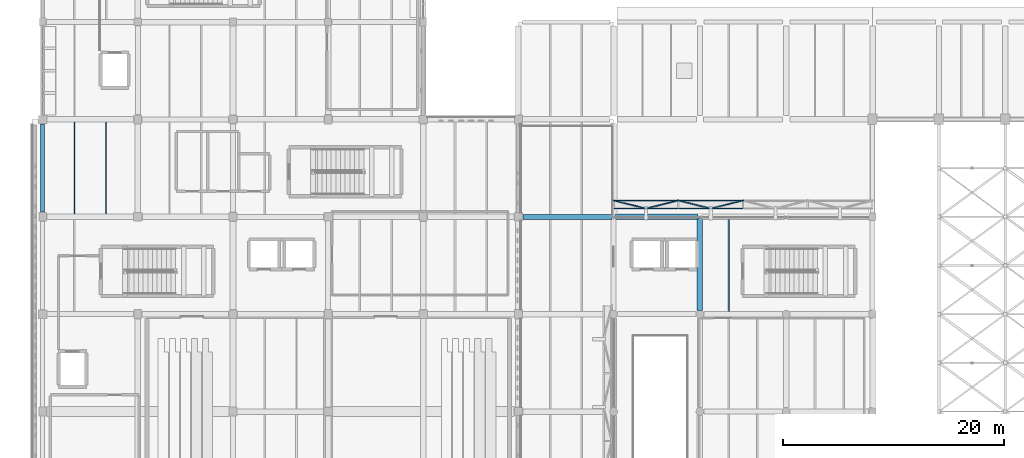
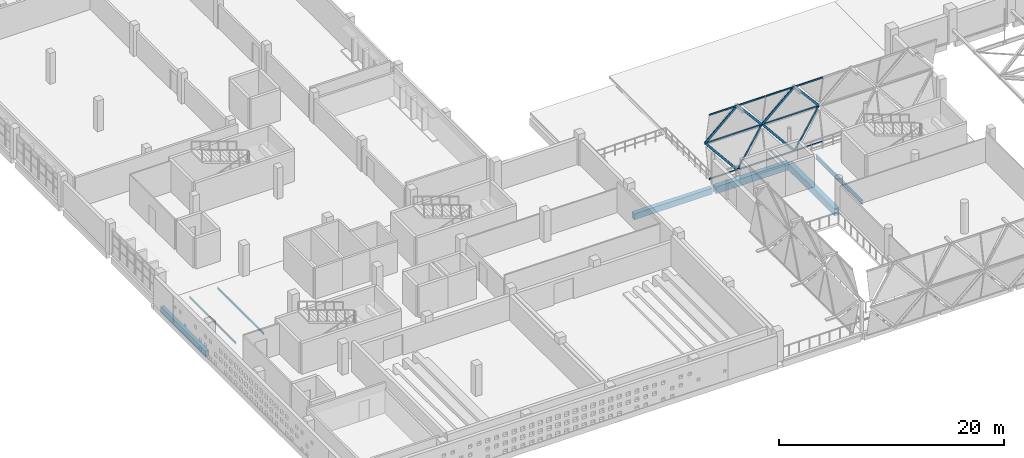
# One storey, part 9 of 93: 14 members, 7 beams, 2 elements without a shape of their own.
"""IFC4 building model written with IfcOpenShell, lengths in metres."""

from ifc_helpers import new_model, si_unit, direction, frame, origin, origin_2d, place, context, subcontext, project, spatial, rectangle, hollow_rectangle, i_section, extrude, material, material_profile, profile_set, type_object, element, aggregate, save


model = new_model("IFC4")

# Units and contexts
model_context = context("Model", 3, precision=1e-05, world=origin(), true_north=direction((0.0, 1.0)))
body_context = subcontext(model_context, "Body", "Model", "MODEL_VIEW")
ifc_project = project(units=[si_unit("LENGTHUNIT", "METRE"), si_unit("AREAUNIT", "SQUARE_METRE"), si_unit("VOLUMEUNIT", "CUBIC_METRE"), si_unit("PLANEANGLEUNIT", "RADIAN"), si_unit("MASSUNIT", "GRAM", prefix="KILO")], contexts=[model_context])

# Site, building, storey
site_placement = place(None, origin())
site = spatial("IfcSite", under=ifc_project, at=site_placement, CompositionType="ELEMENT")
building_placement = place(site_placement, origin())
building = spatial("IfcBuilding", under=site, at=building_placement, Name="Varnakota Cinema and Media Centre", CompositionType="ELEMENT")
storey_placement = place(building_placement, frame((0.0, 0.0, 12.0)))
storey = spatial("IfcBuildingStorey", under=building, at=storey_placement, Name="L03", CompositionType="ELEMENT", Elevation=12.0)

# Beams
ifc_material_1 = material(Name="Concrete M35", Category="concrete")
ifc_material_profile_1 = material_profile(ifc_material_1, rectangle(XDim=0.449951171875, YDim=0.64990234375, at=origin_2d()), Name="RCB 450x650")
ifc_profile_set_1 = profile_set([ifc_material_profile_1], Name="Concrete M35")
beam_type_1 = type_object("IfcBeamType", Name="BM-RC-450x650", PredefinedType="BEAM", material=ifc_profile_set_1)
beam_1_placement = place(storey_placement, frame((43.39990234375, 26.39990234375, -0.5849609375), z_axis=(1.0, 0.0, 0.0), x_axis=(0.0, 1.0, 0.0)))
element("IfcBeam", 1, at=beam_1_placement, inside=storey, type_object=beam_type_1, Name="L03 girder F-G/4", PredefinedType="BEAM", context=body_context, shape_type="SweptSolid", body=[
    extrude(rectangle(XDim=0.449951171875, YDim=0.64990234375, at=origin_2d()), origin(), (0.0, 0.0, 1.0), 8.0380859375),
])
ifc_material_2 = material(Name="Concrete M35", Category="concrete")
ifc_material_profile_2 = material_profile(ifc_material_2, rectangle(XDim=0.5, YDim=0.75, at=origin_2d()), Name="RCB 500x750")
ifc_profile_set_2 = profile_set([ifc_material_profile_2], Name="Concrete M35")
beam_type_2 = type_object("IfcBeamType", Name="BM-RC-500x750", PredefinedType="BEAM", material=ifc_profile_set_2)
beam_2_placement = place(storey_placement, frame((51.761962890625, 26.39990234375, -0.635009765625), z_axis=(1.0, 0.0, 0.0), x_axis=(0.0, 1.0, 0.0)))
element("IfcBeam", 2, at=beam_2_placement, inside=storey, type_object=beam_type_2, Name="L03 girder G-H/4", PredefinedType="BEAM", context=body_context, shape_type="SweptSolid", body=[
    extrude(rectangle(XDim=0.5, YDim=0.75, at=origin_2d()), origin(), (0.0, 0.0, 1.0), 7.47607421875),
])
beam_3_placement = place(storey_placement, frame((59.39990234375, 17.949951171875, -0.635009765625), z_axis=(0.0, 1.0, 0.0), x_axis=(-1.0, 0.0, 0.0)))
element("IfcBeam", 3, at=beam_3_placement, inside=storey, type_object=beam_type_2, Name="L03 girder H/3-4", PredefinedType="BEAM", context=body_context, shape_type="SweptSolid", body=[
    extrude(rectangle(XDim=0.5, YDim=0.75, at=origin_2d()), origin(), (0.0, 0.0, 1.0), 8.2880859375),
])
ifc_material_3 = material(Name="Concrete M40", Category="concrete")
ifc_material_profile_3 = material_profile(ifc_material_3, rectangle(XDim=0.35009765625, YDim=0.64990234375, at=origin_2d()), Name="RCB 350x650")
ifc_profile_set_3 = profile_set([ifc_material_profile_3], Name="Concrete M40")
beam_type_3 = type_object("IfcBeamType", Name="BM-SP-350x650", PredefinedType="SPANDREL", material=ifc_profile_set_3)
beam_4_placement = place(storey_placement, frame((0.0, 26.824951171875, -0.5849609375), z_axis=(0.0, 1.0, 0.0), x_axis=(-1.0, 0.0, 0.0)))
element("IfcBeam", 4, at=beam_4_placement, inside=storey, type_object=beam_type_3, Name="L03 girder A/4-5", PredefinedType="SPANDREL", context=body_context, shape_type="SweptSolid", body=[
    extrude(rectangle(XDim=0.35009765625, YDim=0.64990234375, at=origin_2d()), origin(), (0.0, 0.0, 1.0), 7.97509765625),
])
ifc_material_4 = material(Name="Structural steel Grade 350 (E350)", Category="steel")
ifc_material_profile_4 = material_profile(ifc_material_4, i_section(OverallWidth=0.10009765625, OverallDepth=0.199951171875, WebThickness=0.005615234375, FlangeThickness=0.0107421875, FilletRadius=0.010986328125, at=origin_2d()), Name="ISMB 200")
ifc_profile_set_4 = profile_set([ifc_material_profile_4], Name="Structural steel Grade 350 (E350)")
beam_type_4 = type_object("IfcBeamType", Name="BM-ST-ISMB200", PredefinedType="JOIST", material=ifc_profile_set_4)
for number, where, z_axis, x_axis, name in (
    (5, (2.86669921875, 26.64990234375, -0.360107421875), (0.0, 1.0, 0.0), (-1.0, 0.0, 0.0), "L03 steel joist A-B/4-5 #1"),
    (6, (5.7333984375, 26.64990234375, -0.360107421875), (0.0, 1.0, 0.0), (-1.0, 0.0, 0.0), "L03 steel joist A-B/4-5 #2"),
):
    element("IfcBeam", number, at=place(storey_placement, frame(where, z_axis=z_axis, x_axis=x_axis)), inside=storey, type_object=beam_type_4, Name=name, PredefinedType="JOIST", context=body_context, shape_type="SweptSolid", body=[
        extrude(i_section(OverallWidth=0.10009765625, OverallDepth=0.199951171875, WebThickness=0.005615234375, FlangeThickness=0.0107421875, FilletRadius=0.010986328125, at=origin_2d()), origin(), (0.0, 0.0, 1.0), 8.300048828125),
    ])
ifc_material_5 = material(Name="Structural steel Grade 350 (E350)", Category="steel")
ifc_material_profile_5 = material_profile(ifc_material_5, i_section(OverallWidth=0.14990234375, OverallDepth=0.449951171875, WebThickness=0.009521484375, FlangeThickness=0.017333984375, FilletRadius=0.014892578125, at=origin_2d()), Name="ISMB 450")
ifc_profile_set_5 = profile_set([ifc_material_profile_5], Name="Structural steel Grade 350 (E350)")
beam_type_5 = type_object("IfcBeamType", Name="BM-ST-ISMB450", PredefinedType="BEAM", material=ifc_profile_set_5)
beam_5_placement = place(storey_placement, frame((62.0, 17.85009765625, -0.485107421875), z_axis=(0.0, 1.0, 0.0), x_axis=(-1.0, 0.0, 0.0)))
element("IfcBeam", 7, at=beam_5_placement, inside=storey, type_object=beam_type_5, Name="L03 steel joist H-J/3-4 #1", PredefinedType="BEAM", context=body_context, shape_type="SweptSolid", body=[
    extrude(i_section(OverallWidth=0.14990234375, OverallDepth=0.449951171875, WebThickness=0.009521484375, FlangeThickness=0.017333984375, FilletRadius=0.014892578125, at=origin_2d()), origin(), (0.0, 0.0, 1.0), 8.2998046875),
])

# Curtain wall, members
ifc_material_6 = material(Name="Anodised golden-bronze aluminium AW-6063", Category="aluminium")
curtain_wall_type = type_object("IfcCurtainWallType", Name="CW-DMD-585x705", PredefinedType="USERDEFINED", material=ifc_material_6)
curtain_wall_1_placement = place(storey_placement, origin())
curtain_wall_1 = element("IfcCurtainWall", 8, at=curtain_wall_1_placement, inside=storey, type_object=curtain_wall_type, Name="L03 folded diamond foyer curtain wall CW-V6DMD-N-T2-D01", ObjectType="DIAMOND FOLDED CURTAIN WALL", PredefinedType="USERDEFINED")
ifc_material_7 = material(Name="Anodised golden-bronze aluminium AW-6063", Category="aluminium")
ifc_material_profile_6 = material_profile(ifc_material_7, hollow_rectangle(XDim=0.074951171875, YDim=0.219970703125, WallThickness=0.0048828125, InnerFilletRadius=0.0048828125, OuterFilletRadius=0.010009765625, at=origin_2d()), Name="AL-MULLION 220x75x5")
ifc_profile_set_6 = profile_set([ifc_material_profile_6], Name="Anodised golden-bronze aluminium AW-6063")
member_type_1 = type_object("IfcMemberType", Name="CWM-GOLD-220", PredefinedType="MULLION", material=ifc_profile_set_6)
member_1_placement = place(storey_placement, frame((54.52490234375, 27.14990234375, 0.050048828125), z_axis=(-0.630878157288, 0.156851995101, 0.759861962654), x_axis=(-0.241279412338, -0.970455689448, 0.0)))
member_1 = element("IfcMember", 9, at=member_1_placement, type_object=member_type_1, Name="CW-V6DMD-N-T2-D01 folded diamond mullion 1", PredefinedType="MULLION", context=body_context, shape_type="SweptSolid", body=[
    extrude(hollow_rectangle(XDim=0.074951171875, YDim=0.219970703125, WallThickness=0.0048828125, InnerFilletRadius=0.0048828125, OuterFilletRadius=0.010009765625, at=origin_2d()), origin(), (0.0, 0.0, 1.0), 4.572998046875),
])
member_2_placement = place(storey_placement, frame((54.52490234375, 27.14990234375, 0.050048828125), z_axis=(0.630878157288, 0.156851995101, 0.759861962654), x_axis=(-0.241279412338, 0.970455689448, 0.0)))
member_2 = element("IfcMember", 10, at=member_2_placement, type_object=member_type_1, Name="CW-V6DMD-N-T2-D01 folded diamond mullion 2", PredefinedType="MULLION", context=body_context, shape_type="SweptSolid", body=[
    extrude(hollow_rectangle(XDim=0.074951171875, YDim=0.219970703125, WallThickness=0.0048828125, InnerFilletRadius=0.0048828125, OuterFilletRadius=0.010009765625, at=origin_2d()), origin(), (0.0, 0.0, 1.0), 4.572998046875),
])
member_3_placement = place(storey_placement, frame((51.639892578125, 27.8671875, 3.52490234375), z_axis=(0.630852565109, -0.156845632249, 0.759884523293), x_axis=(0.241279412338, 0.970455689448, 0.0)))
member_3 = element("IfcMember", 11, at=member_3_placement, type_object=member_type_1, Name="CW-V6DMD-N-T2-D01 folded diamond mullion 3", PredefinedType="MULLION", context=body_context, shape_type="SweptSolid", body=[
    extrude(hollow_rectangle(XDim=0.074951171875, YDim=0.219970703125, WallThickness=0.0048828125, InnerFilletRadius=0.0048828125, OuterFilletRadius=0.010009765625, at=origin_2d()), origin(), (0.0, 0.0, 1.0), 4.5732421875),
])
member_4_placement = place(storey_placement, frame((57.409912109375, 27.8671875, 3.52490234375), z_axis=(-0.630852565109, -0.156845632249, 0.759884523293), x_axis=(0.241279412338, -0.970455689448, 0.0)))
member_4 = element("IfcMember", 12, at=member_4_placement, type_object=member_type_1, Name="CW-V6DMD-N-T2-D01 folded diamond mullion 4", PredefinedType="MULLION", context=body_context, shape_type="SweptSolid", body=[
    extrude(hollow_rectangle(XDim=0.074951171875, YDim=0.219970703125, WallThickness=0.0048828125, InnerFilletRadius=0.0048828125, OuterFilletRadius=0.010009765625, at=origin_2d()), origin(), (0.0, 0.0, 1.0), 4.5732421875),
])

curtain_wall_2_placement = place(storey_placement, origin())
curtain_wall_2 = element("IfcCurtainWall", 13, at=curtain_wall_2_placement, inside=storey, type_object=curtain_wall_type, Name="L03 folded diamond foyer curtain wall CW-V6DMD-N-T2-D02", ObjectType="DIAMOND FOLDED CURTAIN WALL", PredefinedType="USERDEFINED")
member_5_placement = place(storey_placement, frame((60.375, 27.14990234375, 0.050048828125), z_axis=(-0.630878157288, 0.156851995101, 0.759861962654), x_axis=(-0.241279412338, -0.970455689448, 0.0)))
member_5 = element("IfcMember", 14, at=member_5_placement, type_object=member_type_1, Name="CW-V6DMD-N-T2-D02 folded diamond mullion 1", PredefinedType="MULLION", context=body_context, shape_type="SweptSolid", body=[
    extrude(hollow_rectangle(XDim=0.074951171875, YDim=0.219970703125, WallThickness=0.0048828125, InnerFilletRadius=0.0048828125, OuterFilletRadius=0.010009765625, at=origin_2d()), origin(), (0.0, 0.0, 1.0), 4.572998046875),
])
member_6_placement = place(storey_placement, frame((60.375, 27.14990234375, 0.050048828125), z_axis=(0.630878157288, 0.156851995101, 0.759861962654), x_axis=(-0.241279412338, 0.970455689448, 0.0)))
member_6 = element("IfcMember", 15, at=member_6_placement, type_object=member_type_1, Name="CW-V6DMD-N-T2-D02 folded diamond mullion 2", PredefinedType="MULLION", context=body_context, shape_type="SweptSolid", body=[
    extrude(hollow_rectangle(XDim=0.074951171875, YDim=0.219970703125, WallThickness=0.0048828125, InnerFilletRadius=0.0048828125, OuterFilletRadius=0.010009765625, at=origin_2d()), origin(), (0.0, 0.0, 1.0), 4.572998046875),
])
member_7_placement = place(storey_placement, frame((57.489990234375, 27.8671875, 3.52490234375), z_axis=(0.630852565109, -0.156845632249, 0.759884523293), x_axis=(0.241279412338, 0.970455689448, 0.0)))
member_7 = element("IfcMember", 16, at=member_7_placement, type_object=member_type_1, Name="CW-V6DMD-N-T2-D02 folded diamond mullion 3", PredefinedType="MULLION", context=body_context, shape_type="SweptSolid", body=[
    extrude(hollow_rectangle(XDim=0.074951171875, YDim=0.219970703125, WallThickness=0.0048828125, InnerFilletRadius=0.0048828125, OuterFilletRadius=0.010009765625, at=origin_2d()), origin(), (0.0, 0.0, 1.0), 4.5732421875),
])
member_8_placement = place(storey_placement, frame((63.260009765625, 27.8671875, 3.52490234375), z_axis=(-0.630852565109, -0.156845632249, 0.759884523293), x_axis=(0.241279412338, -0.970455689448, 0.0)))
member_8 = element("IfcMember", 17, at=member_8_placement, type_object=member_type_1, Name="CW-V6DMD-N-T2-D02 folded diamond mullion 4", PredefinedType="MULLION", context=body_context, shape_type="SweptSolid", body=[
    extrude(hollow_rectangle(XDim=0.074951171875, YDim=0.219970703125, WallThickness=0.0048828125, InnerFilletRadius=0.0048828125, OuterFilletRadius=0.010009765625, at=origin_2d()), origin(), (0.0, 0.0, 1.0), 4.5732421875),
])

# Member
ifc_material_8 = material(Name="Anodised golden-bronze aluminium AW-6063", Category="aluminium")
ifc_material_profile_7 = material_profile(ifc_material_8, hollow_rectangle(XDim=0.074951171875, YDim=0.159912109375, WallThickness=0.00390625, InnerFilletRadius=0.00390625, OuterFilletRadius=0.008056640625, at=origin_2d()), Name="AL-TRANSOM 160x75x4")
ifc_profile_set_7 = profile_set([ifc_material_profile_7], Name="Anodised golden-bronze aluminium AW-6063")
member_type_2 = type_object("IfcMemberType", Name="CWT-GOLD-160", PredefinedType="USERDEFINED", material=ifc_profile_set_7)
member_9_placement = place(storey_placement, frame((51.639892578125, 27.14990234375, 0.050048828125), z_axis=(1.0, 0.0, 0.0), x_axis=(0.0, 1.0, 0.0)))
member_9 = element("IfcMember", 18, at=member_9_placement, type_object=member_type_2, Name="CW-V6DMD-N-T2-D01 folded diamond transom 1", ObjectType="TRANSOM", PredefinedType="USERDEFINED", context=body_context, shape_type="SweptSolid", body=[
    extrude(hollow_rectangle(XDim=0.074951171875, YDim=0.159912109375, WallThickness=0.00390625, InnerFilletRadius=0.00390625, OuterFilletRadius=0.008056640625, at=origin_2d()), origin(), (0.0, 0.0, 1.0), 5.77001953125),
])

member_10_placement = place(storey_placement, frame((51.739990234375, 27.8671875, 3.52490234375), z_axis=(1.0, 0.0, 0.0), x_axis=(0.0, 1.0, 0.0)))
member_10 = element("IfcMember", 19, at=member_10_placement, type_object=member_type_2, Name="CW-V6DMD-N-T2-D01 folded diamond transom 2", ObjectType="TRANSOM", PredefinedType="USERDEFINED", context=body_context, shape_type="SweptSolid", body=[
    extrude(hollow_rectangle(XDim=0.074951171875, YDim=0.159912109375, WallThickness=0.00390625, InnerFilletRadius=0.00390625, OuterFilletRadius=0.008056640625, at=origin_2d()), origin(), (0.0, 0.0, 1.0), 5.570068359375),
])

member_11_placement = place(storey_placement, frame((51.639892578125, 27.14990234375, 7.0), z_axis=(1.0, 0.0, 0.0), x_axis=(0.0, 1.0, 0.0)))
member_11 = element("IfcMember", 20, at=member_11_placement, type_object=member_type_2, Name="CW-V6DMD-N-T2-D01 folded diamond transom 3", ObjectType="TRANSOM", PredefinedType="USERDEFINED", context=body_context, shape_type="SweptSolid", body=[
    extrude(hollow_rectangle(XDim=0.074951171875, YDim=0.159912109375, WallThickness=0.00390625, InnerFilletRadius=0.00390625, OuterFilletRadius=0.008056640625, at=origin_2d()), origin(), (0.0, 0.0, 1.0), 5.77001953125),
])

aggregate(curtain_wall_1, [member_1, member_2, member_3, member_4, member_9, member_10, member_11])

member_12_placement = place(storey_placement, frame((57.489990234375, 27.14990234375, 0.050048828125), z_axis=(1.0, 0.0, 0.0), x_axis=(0.0, 1.0, 0.0)))
member_12 = element("IfcMember", 21, at=member_12_placement, type_object=member_type_2, Name="CW-V6DMD-N-T2-D02 folded diamond transom 1", ObjectType="TRANSOM", PredefinedType="USERDEFINED", context=body_context, shape_type="SweptSolid", body=[
    extrude(hollow_rectangle(XDim=0.074951171875, YDim=0.159912109375, WallThickness=0.00390625, InnerFilletRadius=0.00390625, OuterFilletRadius=0.008056640625, at=origin_2d()), origin(), (0.0, 0.0, 1.0), 5.77001953125),
])

member_13_placement = place(storey_placement, frame((57.590087890625, 27.8671875, 3.52490234375), z_axis=(1.0, 0.0, 0.0), x_axis=(0.0, 1.0, 0.0)))
member_13 = element("IfcMember", 22, at=member_13_placement, type_object=member_type_2, Name="CW-V6DMD-N-T2-D02 folded diamond transom 2", ObjectType="TRANSOM", PredefinedType="USERDEFINED", context=body_context, shape_type="SweptSolid", body=[
    extrude(hollow_rectangle(XDim=0.074951171875, YDim=0.159912109375, WallThickness=0.00390625, InnerFilletRadius=0.00390625, OuterFilletRadius=0.008056640625, at=origin_2d()), origin(), (0.0, 0.0, 1.0), 5.56982421875),
])

member_14_placement = place(storey_placement, frame((57.489990234375, 27.14990234375, 7.0), z_axis=(1.0, 0.0, 0.0), x_axis=(0.0, 1.0, 0.0)))
member_14 = element("IfcMember", 23, at=member_14_placement, type_object=member_type_2, Name="CW-V6DMD-N-T2-D02 folded diamond transom 3", ObjectType="TRANSOM", PredefinedType="USERDEFINED", context=body_context, shape_type="SweptSolid", body=[
    extrude(hollow_rectangle(XDim=0.074951171875, YDim=0.159912109375, WallThickness=0.00390625, InnerFilletRadius=0.00390625, OuterFilletRadius=0.008056640625, at=origin_2d()), origin(), (0.0, 0.0, 1.0), 5.77001953125),
])

aggregate(curtain_wall_2, [member_5, member_6, member_7, member_8, member_12, member_13, member_14])

save(model, "model.ifc")
